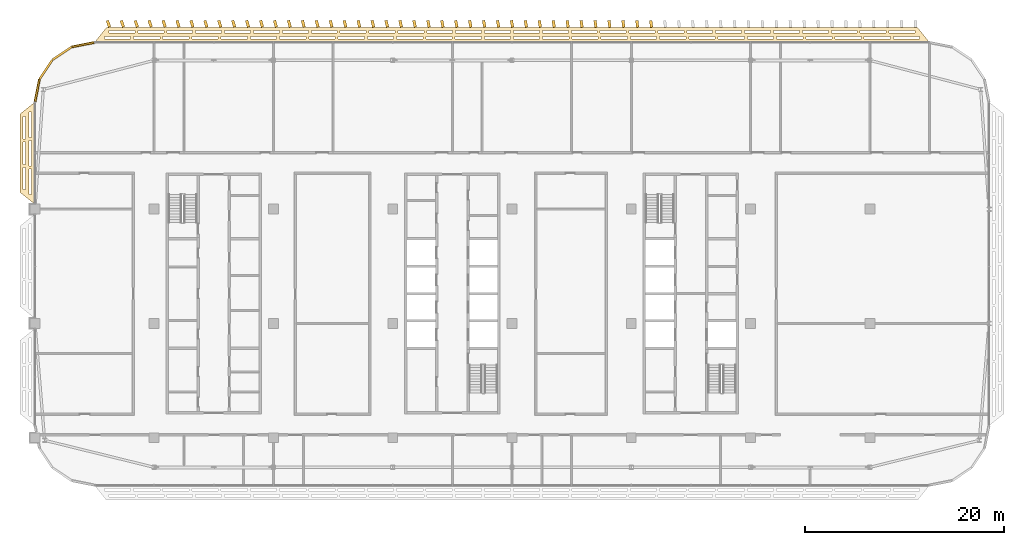
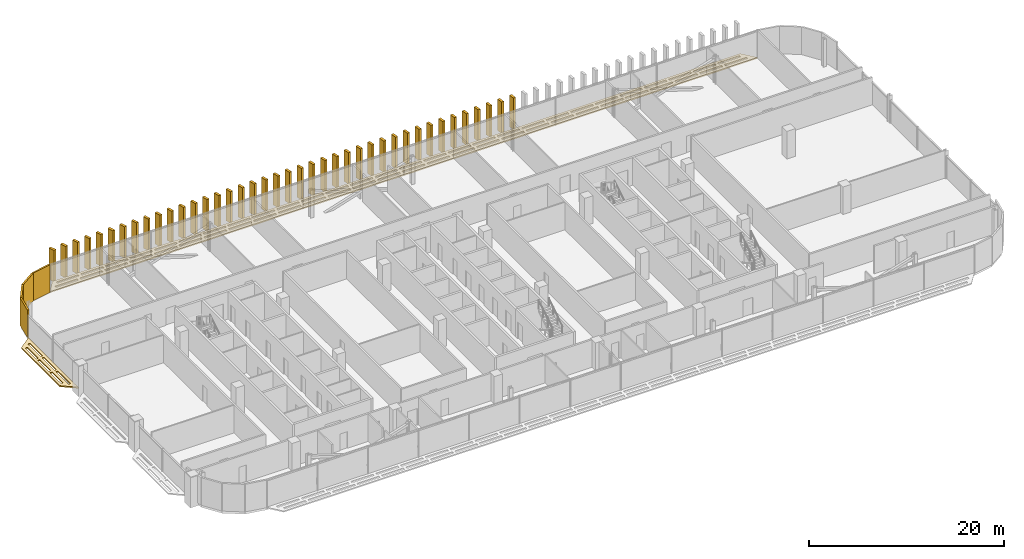
# One storey, part 30 of 32: 46 coverings.
"""IFC4 building model written with IfcOpenShell, lengths in metres."""

from ifc_helpers import new_model, si_unit, direction, frame, origin, origin_2d, place, context, subcontext, project, spatial, polyline, rectangle, outline, extrude, material, layer, layer_set, type_object, element, save


model = new_model("IFC4")

# Units and contexts
model_context = context("Model", 3, precision=1e-05, world=origin(), true_north=direction((0.0, 1.0)))
body_context = subcontext(model_context, "Body", "Model", "MODEL_VIEW")
ifc_project = project(units=[si_unit("LENGTHUNIT", "METRE"), si_unit("AREAUNIT", "SQUARE_METRE"), si_unit("VOLUMEUNIT", "CUBIC_METRE"), si_unit("PLANEANGLEUNIT", "RADIAN"), si_unit("MASSUNIT", "GRAM", prefix="KILO")], contexts=[model_context])

# Site, building, storey
site_placement = place(None, origin())
site = spatial("IfcSite", under=ifc_project, at=site_placement, CompositionType="ELEMENT")
building_placement = place(site_placement, origin())
building = spatial("IfcBuilding", under=site, at=building_placement, Name="Mahtab Terrace Research Tower", CompositionType="ELEMENT")
storey_placement = place(building_placement, frame((0.0, 0.0, 236.199951171875)))
storey = spatial("IfcBuildingStorey", under=building, at=storey_placement, Name="L57", CompositionType="ELEMENT", Elevation=236.199951171875)

# Coverings
ifc_material_1 = material(Name="Black aluminium cladding panel", Category="aluminium")
ifc_layer_1 = layer(ifc_material_1, 0.199951171875)
ifc_layer_set_1 = layer_set([ifc_layer_1], Name="Black metal corner cladding 200")
covering_type_1 = type_object("IfcCoveringType", Name="Black metal corner cladding 200", PredefinedType="CLADDING", material=ifc_layer_set_1)
for number, where, z_axis, x_axis, name in (
    (1, (-37.14794921875, 28.049560546875, 0.0), (0.0, 0.0, 1.0), (-0.980760981187, -0.195212442692, 0.0), "Corner cladding L57 4"),
    (2, (-39.26953125, 27.1708984375, 0.0), (0.0, 0.0, 1.0), (-0.831655794326, -0.555291490808, 0.0), "Corner cladding L57 5"),
    (3, (-40.89306640625, 25.547607421875, 0.0), (0.0, 0.0, 1.0), (-0.555291490808, -0.831655794326, 0.0), "Corner cladding L57 6"),
    (4, (-41.771484375, 23.426025390625, 0.0), (0.0, 0.0, 1.0), (-0.195212442692, -0.980760981187, 0.0), "Corner cladding L57 7"),
):
    element("IfcCovering", number, at=place(storey_placement, frame(where, z_axis=z_axis, x_axis=x_axis)), inside=storey, type_object=covering_type_1, Name=name, PredefinedType="CLADDING", context=body_context, shape_type="SweptSolid", body=[
        extrude(rectangle(XDim=2.30126953125, YDim=0.199951171875, at=origin_2d()), origin(), (0.0, 0.0, 1.0), 3.4599609375),
    ])
ifc_material_2 = material(Name="Black anodised aluminium", Category="aluminium")
ifc_layer_2 = layer(ifc_material_2, 0.14990234375)
ifc_layer_set_2 = layer_set([ifc_layer_2], Name="Horizontal sunshade band")
covering_type_2 = type_object("IfcCoveringType", Name="Horizontal sunshade band", PredefinedType="CLADDING", material=ifc_layer_set_2)
covering_1_placement = place(storey_placement, frame((0.0, 0.0, -0.14990234375)))
element("IfcCovering", 5, at=covering_1_placement, inside=storey, type_object=covering_type_2, Name="Sunshade band L57 3", PredefinedType="CLADDING", context=body_context, shape_type="SweptSolid", body=[
    extrude(outline(polyline([(48.0, 28.278076171875), (-36.0, 28.278076171875), (-34.800048828125, 29.778076171875), (46.800048828125, 29.778076171875), (48.0, 28.278076171875)]), holes=[polyline([(47.02001953125, 28.6279296875), (44.37890625, 28.6279296875), (44.37890625, 28.8779296875), (47.02001953125, 28.8779296875), (47.02001953125, 28.6279296875)]), polyline([(44.0791015625, 28.6279296875), (41.43896484375, 28.6279296875), (41.43896484375, 28.8779296875), (44.0791015625, 28.8779296875), (44.0791015625, 28.6279296875)]), polyline([(41.138916015625, 28.6279296875), (38.498046875, 28.6279296875), (38.498046875, 28.8779296875), (41.138916015625, 28.8779296875), (41.138916015625, 28.6279296875)]), polyline([(38.197998046875, 28.6279296875), (35.556884765625, 28.6279296875), (35.556884765625, 28.8779296875), (38.197998046875, 28.8779296875), (38.197998046875, 28.6279296875)]), polyline([(35.257080078125, 28.6279296875), (32.615966796875, 28.6279296875), (32.615966796875, 28.8779296875), (35.257080078125, 28.8779296875), (35.257080078125, 28.6279296875)]), polyline([(32.31591796875, 28.6279296875), (29.676025390625, 28.6279296875), (29.676025390625, 28.8779296875), (32.31591796875, 28.8779296875), (32.31591796875, 28.6279296875)]), polyline([(29.3759765625, 28.6279296875), (26.735107421875, 28.6279296875), (26.735107421875, 28.8779296875), (29.3759765625, 28.8779296875), (29.3759765625, 28.6279296875)]), polyline([(26.43505859375, 28.6279296875), (23.7939453125, 28.6279296875), (23.7939453125, 28.8779296875), (26.43505859375, 28.8779296875), (26.43505859375, 28.6279296875)]), polyline([(23.493896484375, 28.6279296875), (20.85400390625, 28.6279296875), (20.85400390625, 28.8779296875), (23.493896484375, 28.8779296875), (23.493896484375, 28.6279296875)]), polyline([(20.553955078125, 28.6279296875), (17.9130859375, 28.6279296875), (17.9130859375, 28.8779296875), (20.553955078125, 28.8779296875), (20.553955078125, 28.6279296875)]), polyline([(17.613037109375, 28.6279296875), (14.971923828125, 28.6279296875), (14.971923828125, 28.8779296875), (17.613037109375, 28.8779296875), (17.613037109375, 28.6279296875)]), polyline([(14.672119140625, 28.6279296875), (12.031005859375, 28.6279296875), (12.031005859375, 28.8779296875), (14.672119140625, 28.8779296875), (14.672119140625, 28.6279296875)]), polyline([(11.73095703125, 28.6279296875), (9.091064453125, 28.6279296875), (9.091064453125, 28.8779296875), (11.73095703125, 28.8779296875), (11.73095703125, 28.6279296875)]), polyline([(8.791015625, 28.6279296875), (6.14990234375, 28.6279296875), (6.14990234375, 28.8779296875), (8.791015625, 28.8779296875), (8.791015625, 28.6279296875)]), polyline([(5.85009765625, 28.6279296875), (3.208984375, 28.6279296875), (3.208984375, 28.8779296875), (5.85009765625, 28.8779296875), (5.85009765625, 28.6279296875)]), polyline([(2.908935546875, 28.6279296875), (0.26904296875, 28.6279296875), (0.26904296875, 28.8779296875), (2.908935546875, 28.8779296875), (2.908935546875, 28.6279296875)]), polyline([(-0.031005859375, 28.6279296875), (-2.672119140625, 28.6279296875), (-2.672119140625, 28.8779296875), (-0.031005859375, 28.8779296875), (-0.031005859375, 28.6279296875)]), polyline([(-2.971923828125, 28.6279296875), (-5.613037109375, 28.6279296875), (-5.613037109375, 28.8779296875), (-2.971923828125, 28.8779296875), (-2.971923828125, 28.6279296875)]), polyline([(-5.9130859375, 28.6279296875), (-8.553955078125, 28.6279296875), (-8.553955078125, 28.8779296875), (-5.9130859375, 28.8779296875), (-5.9130859375, 28.6279296875)]), polyline([(-8.85400390625, 28.6279296875), (-11.493896484375, 28.6279296875), (-11.493896484375, 28.8779296875), (-8.85400390625, 28.8779296875), (-8.85400390625, 28.6279296875)]), polyline([(-11.7939453125, 28.6279296875), (-14.43505859375, 28.6279296875), (-14.43505859375, 28.8779296875), (-11.7939453125, 28.8779296875), (-11.7939453125, 28.6279296875)]), polyline([(-14.735107421875, 28.6279296875), (-17.3759765625, 28.6279296875), (-17.3759765625, 28.8779296875), (-14.735107421875, 28.8779296875), (-14.735107421875, 28.6279296875)]), polyline([(-17.676025390625, 28.6279296875), (-20.31591796875, 28.6279296875), (-20.31591796875, 28.8779296875), (-17.676025390625, 28.8779296875), (-17.676025390625, 28.6279296875)]), polyline([(-20.615966796875, 28.6279296875), (-23.257080078125, 28.6279296875), (-23.257080078125, 28.8779296875), (-20.615966796875, 28.8779296875), (-20.615966796875, 28.6279296875)]), polyline([(-23.556884765625, 28.6279296875), (-26.197998046875, 28.6279296875), (-26.197998046875, 28.8779296875), (-23.556884765625, 28.8779296875), (-23.556884765625, 28.6279296875)]), polyline([(-26.498046875, 28.6279296875), (-29.138916015625, 28.6279296875), (-29.138916015625, 28.8779296875), (-26.498046875, 28.8779296875), (-26.498046875, 28.6279296875)]), polyline([(-29.43896484375, 28.6279296875), (-32.0791015625, 28.6279296875), (-32.0791015625, 28.8779296875), (-29.43896484375, 28.8779296875), (-29.43896484375, 28.6279296875)]), polyline([(-32.37890625, 28.6279296875), (-35.02001953125, 28.6279296875), (-35.02001953125, 28.8779296875), (-32.37890625, 28.8779296875), (-32.37890625, 28.6279296875)]), polyline([(46.5400390625, 29.22802734375), (43.93408203125, 29.22802734375), (43.93408203125, 29.47802734375), (46.5400390625, 29.47802734375), (46.5400390625, 29.22802734375)]), polyline([(43.634033203125, 29.22802734375), (41.027099609375, 29.22802734375), (41.027099609375, 29.47802734375), (43.634033203125, 29.47802734375), (43.634033203125, 29.22802734375)]), polyline([(40.72705078125, 29.22802734375), (38.12109375, 29.22802734375), (38.12109375, 29.47802734375), (40.72705078125, 29.47802734375), (40.72705078125, 29.22802734375)]), polyline([(37.821044921875, 29.22802734375), (35.214111328125, 29.22802734375), (35.214111328125, 29.47802734375), (37.821044921875, 29.47802734375), (37.821044921875, 29.22802734375)]), polyline([(34.9140625, 29.22802734375), (32.30810546875, 29.22802734375), (32.30810546875, 29.47802734375), (34.9140625, 29.47802734375), (34.9140625, 29.22802734375)]), polyline([(32.008056640625, 29.22802734375), (29.40087890625, 29.22802734375), (29.40087890625, 29.47802734375), (32.008056640625, 29.47802734375), (32.008056640625, 29.22802734375)]), polyline([(29.10107421875, 29.22802734375), (26.4951171875, 29.22802734375), (26.4951171875, 29.47802734375), (29.10107421875, 29.47802734375), (29.10107421875, 29.22802734375)]), polyline([(26.195068359375, 29.22802734375), (23.589111328125, 29.22802734375), (23.589111328125, 29.47802734375), (26.195068359375, 29.47802734375), (26.195068359375, 29.22802734375)]), polyline([(23.2890625, 29.22802734375), (20.681884765625, 29.22802734375), (20.681884765625, 29.47802734375), (23.2890625, 29.47802734375), (23.2890625, 29.22802734375)]), polyline([(20.382080078125, 29.22802734375), (17.77587890625, 29.22802734375), (17.77587890625, 29.47802734375), (20.382080078125, 29.47802734375), (20.382080078125, 29.22802734375)]), polyline([(17.47607421875, 29.22802734375), (14.868896484375, 29.22802734375), (14.868896484375, 29.47802734375), (17.47607421875, 29.47802734375), (17.47607421875, 29.22802734375)]), polyline([(14.569091796875, 29.22802734375), (11.962890625, 29.22802734375), (11.962890625, 29.47802734375), (14.569091796875, 29.47802734375), (14.569091796875, 29.22802734375)]), polyline([(11.6630859375, 29.22802734375), (9.055908203125, 29.22802734375), (9.055908203125, 29.47802734375), (11.6630859375, 29.47802734375), (11.6630859375, 29.22802734375)]), polyline([(8.756103515625, 29.22802734375), (6.14990234375, 29.22802734375), (6.14990234375, 29.47802734375), (8.756103515625, 29.47802734375), (8.756103515625, 29.22802734375)]), polyline([(5.85009765625, 29.22802734375), (3.243896484375, 29.22802734375), (3.243896484375, 29.47802734375), (5.85009765625, 29.47802734375), (5.85009765625, 29.22802734375)]), polyline([(2.944091796875, 29.22802734375), (0.3369140625, 29.22802734375), (0.3369140625, 29.47802734375), (2.944091796875, 29.47802734375), (2.944091796875, 29.22802734375)]), polyline([(0.037109375, 29.22802734375), (-2.569091796875, 29.22802734375), (-2.569091796875, 29.47802734375), (0.037109375, 29.47802734375), (0.037109375, 29.22802734375)]), polyline([(-2.868896484375, 29.22802734375), (-5.47607421875, 29.22802734375), (-5.47607421875, 29.47802734375), (-2.868896484375, 29.47802734375), (-2.868896484375, 29.22802734375)]), polyline([(-5.77587890625, 29.22802734375), (-8.382080078125, 29.22802734375), (-8.382080078125, 29.47802734375), (-5.77587890625, 29.47802734375), (-5.77587890625, 29.22802734375)]), polyline([(-8.681884765625, 29.22802734375), (-11.2890625, 29.22802734375), (-11.2890625, 29.47802734375), (-8.681884765625, 29.47802734375), (-8.681884765625, 29.22802734375)]), polyline([(-11.589111328125, 29.22802734375), (-14.195068359375, 29.22802734375), (-14.195068359375, 29.47802734375), (-11.589111328125, 29.47802734375), (-11.589111328125, 29.22802734375)]), polyline([(-14.4951171875, 29.22802734375), (-17.10107421875, 29.22802734375), (-17.10107421875, 29.47802734375), (-14.4951171875, 29.47802734375), (-14.4951171875, 29.22802734375)]), polyline([(-17.40087890625, 29.22802734375), (-20.008056640625, 29.22802734375), (-20.008056640625, 29.47802734375), (-17.40087890625, 29.47802734375), (-17.40087890625, 29.22802734375)]), polyline([(-20.30810546875, 29.22802734375), (-22.9140625, 29.22802734375), (-22.9140625, 29.47802734375), (-20.30810546875, 29.47802734375), (-20.30810546875, 29.22802734375)]), polyline([(-23.214111328125, 29.22802734375), (-25.821044921875, 29.22802734375), (-25.821044921875, 29.47802734375), (-23.214111328125, 29.47802734375), (-23.214111328125, 29.22802734375)]), polyline([(-26.12109375, 29.22802734375), (-28.72705078125, 29.22802734375), (-28.72705078125, 29.47802734375), (-26.12109375, 29.47802734375), (-26.12109375, 29.22802734375)]), polyline([(-29.027099609375, 29.22802734375), (-31.634033203125, 29.22802734375), (-31.634033203125, 29.47802734375), (-29.027099609375, 29.47802734375), (-29.027099609375, 29.22802734375)]), polyline([(-31.93408203125, 29.22802734375), (-34.5400390625, 29.22802734375), (-34.5400390625, 29.47802734375), (-31.93408203125, 29.47802734375), (-31.93408203125, 29.22802734375)])]), origin(), (0.0, 0.0, 1.0), 0.14990234375),
])
covering_2_placement = place(storey_placement, frame((0.0, 0.0, -0.14990234375)))
element("IfcCovering", 6, at=covering_2_placement, inside=storey, type_object=covering_type_2, Name="Sunshade band L57 8", PredefinedType="CLADDING", context=body_context, shape_type="SweptSolid", body=[
    extrude(outline(polyline([(-42.0, 22.278076171875), (-42.0, 12.0), (-43.5, 13.199951171875), (-43.5, 21.077880859375), (-42.0, 22.278076171875)]), holes=[polyline([(-42.35009765625, 21.298095703125), (-42.35009765625, 18.72509765625), (-42.60009765625, 18.72509765625), (-42.60009765625, 21.298095703125), (-42.35009765625, 21.298095703125)]), polyline([(-42.35009765625, 18.425048828125), (-42.35009765625, 15.85302734375), (-42.60009765625, 15.85302734375), (-42.60009765625, 18.425048828125), (-42.35009765625, 18.425048828125)]), polyline([(-42.35009765625, 15.552978515625), (-42.35009765625, 12.97998046875), (-42.60009765625, 12.97998046875), (-42.60009765625, 15.552978515625), (-42.35009765625, 15.552978515625)]), polyline([(-42.949951171875, 20.818115234375), (-42.949951171875, 18.56494140625), (-43.199951171875, 18.56494140625), (-43.199951171875, 20.818115234375), (-42.949951171875, 20.818115234375)]), polyline([(-42.949951171875, 18.264892578125), (-42.949951171875, 16.012939453125), (-43.199951171875, 16.012939453125), (-43.199951171875, 18.264892578125), (-42.949951171875, 18.264892578125)]), polyline([(-42.949951171875, 15.712890625), (-42.949951171875, 13.4599609375), (-43.199951171875, 13.4599609375), (-43.199951171875, 15.712890625), (-42.949951171875, 15.712890625)])]), origin(), (0.0, 0.0, 1.0), 0.14990234375),
])
ifc_material_3 = material(Name="Bronze anodised aluminium", Category="aluminium")
ifc_layer_3 = layer(ifc_material_3, 0.1201171875)
ifc_layer_set_3 = layer_set([ifc_layer_3], Name="Vertical fin 700")
covering_type_3 = type_object("IfcCoveringType", Name="Vertical fin 700", PredefinedType="CLADDING", material=ifc_layer_set_3)
for number, where, z_axis, x_axis, name in (
    (7, (20.0, 30.141845703125, -0.14990234375), (0.0, 0.0, 1.0), (-0.993238357741, -0.116092914131, 0.0), "Fin L57 N20"),
    (8, (18.60009765625, 30.142333984375, -0.14990234375), (0.0, 0.0, 1.0), (-0.992546151641, -0.121869343405, 0.0), "Fin L57 N21"),
    (9, (17.199951171875, 30.14306640625, -0.14990234375), (0.0, 0.0, 1.0), (-0.991820351542, -0.127641647855, 0.0), "Fin L57 N22"),
    (10, (15.800048828125, 30.1435546875, -0.14990234375), (0.0, 0.0, 1.0), (-0.991060982007, -0.133409632126, 0.0), "Fin L57 N23"),
    (11, (14.39990234375, 30.14404296875, -0.14990234375), (0.0, 0.0, 1.0), (-0.990268068742, -0.13917310096, 0.0), "Fin L57 N24"),
    (12, (13.0, 30.14453125, -0.14990234375), (0.0, 0.0, 1.0), (-0.989441638582, -0.144931859301, 0.0), "Fin L57 N25"),
    (13, (11.60009765625, 30.14501953125, -0.14990234375), (0.0, 0.0, 1.0), (-0.988581719496, -0.150685712255, 0.0), "Fin L57 N26"),
    (14, (10.199951171875, 30.1455078125, -0.14990234375), (0.0, 0.0, 1.0), (-0.987688340595, -0.15643446504, 0.0), "Fin L57 N27"),
    (15, (8.800048828125, 30.14599609375, -0.14990234375), (0.0, 0.0, 1.0), (-0.986761532114, -0.1621779231, 0.0), "Fin L57 N28"),
    (16, (7.39990234375, 30.146484375, -0.14990234375), (0.0, 0.0, 1.0), (-0.985801325417, -0.167915892057, 0.0), "Fin L57 N29"),
    (17, (6.0, 30.14697265625, -0.14990234375), (0.0, 0.0, 1.0), (-0.984807753012, -0.173648177667, 0.0), "Fin L57 N30"),
    (18, (4.60009765625, 30.1474609375, -0.14990234375), (0.0, 0.0, 1.0), (-0.983780848524, -0.179374585932, 0.0), "Fin L57 N31"),
    (19, (3.199951171875, 30.14794921875, -0.14990234375), (0.0, 0.0, 1.0), (-0.982720646705, -0.18509492305, 0.0), "Fin L57 N32"),
    (20, (1.800048828125, 30.148193359375, -0.14990234375), (0.0, 0.0, 1.0), (-0.981627183448, -0.190808995377, 0.0), "Fin L57 N33"),
    (21, (0.39990234375, 30.148681640625, -0.14990234375), (0.0, 0.0, 1.0), (-0.980500495757, -0.196516609527, 0.0), "Fin L57 N34"),
    (22, (-1.0, 30.149169921875, -0.14990234375), (0.0, 0.0, 1.0), (-0.979340621764, -0.202217572338, 0.0), "Fin L57 N35"),
    (23, (-2.39990234375, 30.1494140625, -0.14990234375), (0.0, 0.0, 1.0), (-0.978147600734, -0.207911690818, 0.0), "Fin L57 N36"),
    (24, (-3.800048828125, 30.14990234375, -0.14990234375), (0.0, 0.0, 1.0), (-0.976921473041, -0.21359877226, 0.0), "Fin L57 N37"),
    (25, (-5.199951171875, 30.150146484375, -0.14990234375), (0.0, 0.0, 1.0), (-0.975662280183, -0.219278624194, 0.0), "Fin L57 N38"),
    (26, (-6.60009765625, 30.150634765625, -0.14990234375), (0.0, 0.0, 1.0), (-0.974370064785, -0.224951054344, 0.0), "Fin L57 N39"),
    (27, (-8.0, 30.15087890625, -0.14990234375), (0.0, 0.0, 1.0), (-0.973044870581, -0.230615870737, 0.0), "Fin L57 N40"),
    (28, (-9.39990234375, 30.151123046875, -0.14990234375), (0.0, 0.0, 1.0), (-0.97168674242, -0.236272881656, 0.0), "Fin L57 N41"),
    (29, (-10.800048828125, 30.1513671875, -0.14990234375), (0.0, 0.0, 1.0), (-0.970295726276, -0.2419218956, 0.0), "Fin L57 N42"),
    (30, (-12.199951171875, 30.15185546875, -0.14990234375), (0.0, 0.0, 1.0), (-0.968871869227, -0.247562721386, 0.0), "Fin L57 N43"),
    (31, (-13.60009765625, 30.152099609375, -0.14990234375), (0.0, 0.0, 1.0), (-0.967415219461, -0.25319516811, 0.0), "Fin L57 N44"),
    (32, (-15.0, 30.15234375, -0.14990234375), (0.0, 0.0, 1.0), (-0.965925826289, -0.258819045103, 0.0), "Fin L57 N45"),
    (33, (-16.39990234375, 30.152587890625, -0.14990234375), (0.0, 0.0, 1.0), (-0.964403740116, -0.264434162032, 0.0), "Fin L57 N46"),
    (34, (-17.800048828125, 30.15283203125, -0.14990234375), (0.0, 0.0, 1.0), (-0.962849012456, -0.270040328864, 0.0), "Fin L57 N47"),
    (35, (-19.199951171875, 30.153076171875, -0.14990234375), (0.0, 0.0, 1.0), (-0.961261695938, -0.275637355817, 0.0), "Fin L57 N48"),
    (36, (-20.60009765625, 30.1533203125, -0.14990234375), (0.0, 0.0, 1.0), (-0.959641844284, -0.28122505347, 0.0), "Fin L57 N49"),
    (37, (-22.0, 30.153564453125, -0.14990234375), (0.0, 0.0, 1.0), (-0.957989512314, -0.286803232717, 0.0), "Fin L57 N50"),
    (38, (-23.39990234375, 30.153564453125, -0.14990234375), (0.0, 0.0, 1.0), (-0.956304755963, -0.292371704723, 0.0), "Fin L57 N51"),
    (39, (-24.800048828125, 30.15380859375, -0.14990234375), (0.0, 0.0, 1.0), (-0.954587632249, -0.297930281033, 0.0), "Fin L57 N52"),
    (40, (-26.199951171875, 30.154052734375, -0.14990234375), (0.0, 0.0, 1.0), (-0.952838199286, -0.303478773527, 0.0), "Fin L57 N53"),
    (41, (-27.60009765625, 30.154052734375, -0.14990234375), (0.0, 0.0, 1.0), (-0.951056516295, -0.309016994375, 0.0), "Fin L57 N54"),
    (42, (-29.0, 30.154296875, -0.14990234375), (0.0, 0.0, 1.0), (-0.949242643575, -0.314544756146, 0.0), "Fin L57 N55"),
    (43, (-30.39990234375, 30.154296875, -0.14990234375), (0.0, 0.0, 1.0), (-0.947396642512, -0.320061871762, 0.0), "Fin L57 N56"),
    (44, (-31.800048828125, 30.154541015625, -0.14990234375), (0.0, 0.0, 1.0), (-0.945518575599, -0.325568154457, 0.0), "Fin L57 N57"),
    (45, (-33.199951171875, 30.154541015625, -0.14990234375), (0.0, 0.0, 1.0), (-0.943608506396, -0.331063417879, 0.0), "Fin L57 N58"),
    (46, (-34.60009765625, 30.15478515625, -0.14990234375), (0.0, 0.0, 1.0), (-0.941666499544, -0.336547476052, 0.0), "Fin L57 N59"),
):
    element("IfcCovering", number, at=place(storey_placement, frame(where, z_axis=z_axis, x_axis=x_axis)), inside=storey, type_object=covering_type_3, Name=name, PredefinedType="CLADDING", context=body_context, shape_type="SweptSolid", body=[
        extrude(rectangle(XDim=0.280029296875, YDim=0.699951171875, at=origin_2d()), origin(), (0.0, 0.0, 1.0), 3.949951171875),
    ])

save(model, "model.ifc")
